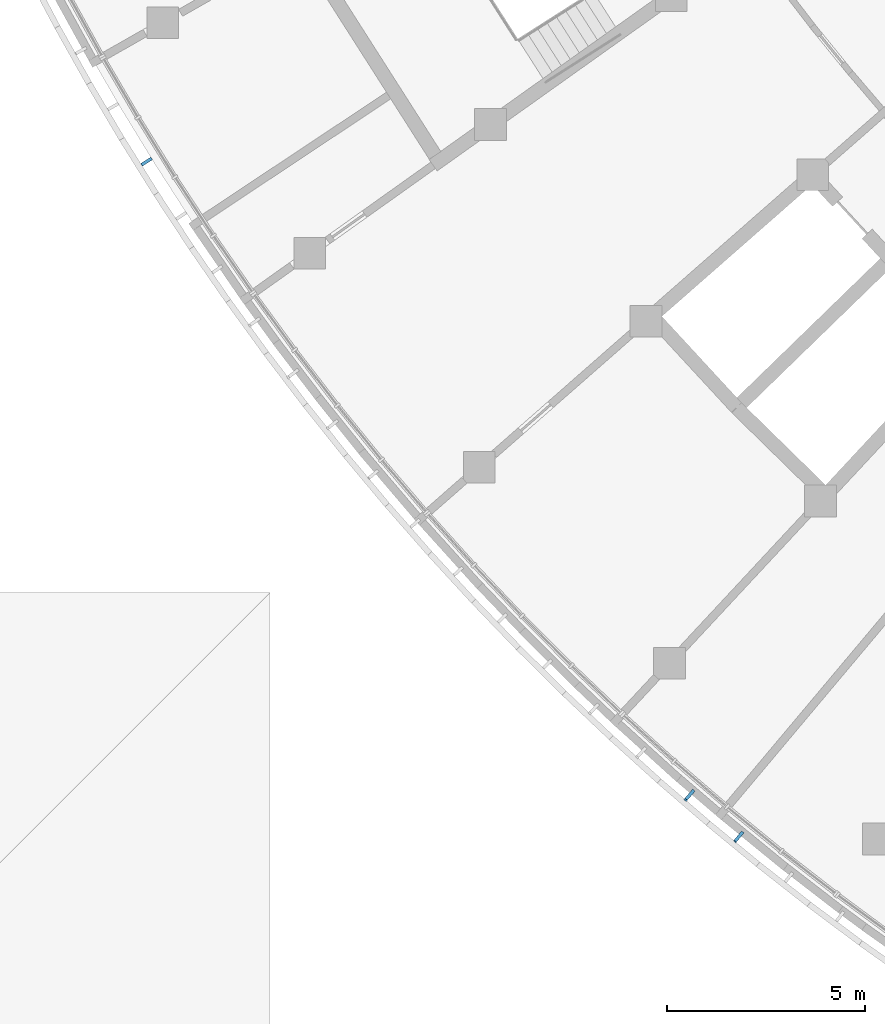
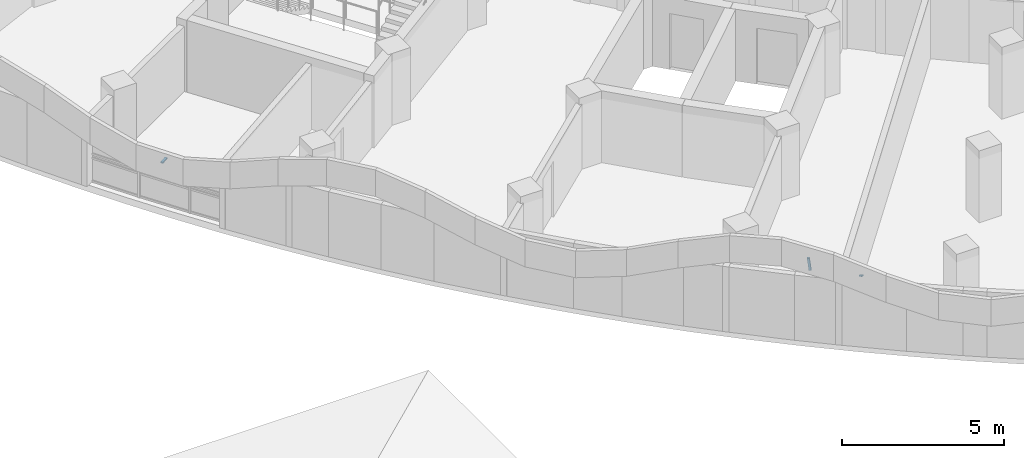
# One storey, part 68 of 89: 3 discrete accessories.
"""IFC4 building model written with IfcOpenShell, lengths in metres."""

from ifc_helpers import new_model, si_unit, direction, frame, origin, origin_2d, place, context, subcontext, project, spatial, rectangle, extrude, material, material_profile, profile_set, type_object, element, save


model = new_model("IFC4")

# Units and contexts
model_context = context("Model", 3, precision=1e-05, world=origin(), true_north=direction((0.0, 1.0)))
body_context = subcontext(model_context, "Body", "Model", "MODEL_VIEW")
ifc_project = project(units=[si_unit("LENGTHUNIT", "METRE"), si_unit("AREAUNIT", "SQUARE_METRE"), si_unit("VOLUMEUNIT", "CUBIC_METRE"), si_unit("PLANEANGLEUNIT", "RADIAN"), si_unit("MASSUNIT", "GRAM", prefix="KILO")], contexts=[model_context])

# Site, building, storey
site_placement = place(None, origin())
site = spatial("IfcSite", under=ifc_project, at=site_placement, CompositionType="ELEMENT")
building_placement = place(site_placement, origin())
building = spatial("IfcBuilding", under=site, at=building_placement, Name="Bougainvillea Quay General Hospital", CompositionType="ELEMENT")
storey_placement = place(building_placement, frame((0.0, 0.0, 9.89990234375)))
storey = spatial("IfcBuildingStorey", under=building, at=storey_placement, Name="L01M", CompositionType="ELEMENT", Elevation=9.89990234375)

# Discrete accessories
ifc_material = material(Name="Stainless steel bracket, grade 316", Category="steel")
ifc_material_profile = material_profile(ifc_material, rectangle(XDim=0.080078125, YDim=0.050048828125, at=origin_2d()))
ifc_profile_set = profile_set([ifc_material_profile], Name="Stainless steel bracket, grade 316")
discrete_accessory_type = type_object("IfcDiscreteAccessoryType", Name="Stainless steel stand-off bracket 80x50", PredefinedType="BRACKET", material=ifc_profile_set)
discrete_accessory_1_placement = place(storey_placement, frame((49.80810546875, 88.960205078125, 1.960205078125), z_axis=(-0.84808974146, -0.529852611987, 0.0), x_axis=(0.529852611987, -0.84808974146, 0.0)))
element("IfcDiscreteAccessory", 1, at=discrete_accessory_1_placement, inside=storey, type_object=discrete_accessory_type, Name="Fascia bracket a01 11", PredefinedType="BRACKET", context=body_context, shape_type="SweptSolid", body=[
    extrude(rectangle(XDim=0.080078125, YDim=0.050048828125, at=origin_2d()), origin(), (0.0, 0.0, 1.0), 0.300048828125),
])
discrete_accessory_2_placement = place(storey_placement, frame((63.4833984375, 72.996826171875, 2.64013671875), z_axis=(-0.271194886818, -0.314086232554, 0.909836893011), x_axis=(0.756896202885, -0.653535108512, 0.0)))
element("IfcDiscreteAccessory", 2, at=discrete_accessory_2_placement, inside=storey, type_object=discrete_accessory_type, Name="Fascia bracket a01 24", PredefinedType="BRACKET", context=body_context, shape_type="SweptSolid", body=[
    extrude(rectangle(XDim=0.080078125, YDim=0.050048828125, at=origin_2d()), origin(), (0.0, 0.0, 1.0), 0.722900390625),
])
discrete_accessory_3_placement = place(storey_placement, frame((64.724609375, 71.951171875, 2.64013671875), z_axis=(-0.544782758381, -0.661970342771, 0.514788317139), x_axis=(0.77214157082, -0.635450544584, 0.0)))
element("IfcDiscreteAccessory", 3, at=discrete_accessory_3_placement, inside=storey, type_object=discrete_accessory_type, Name="Fascia bracket a01 25", PredefinedType="BRACKET", context=body_context, shape_type="SweptSolid", body=[
    extrude(rectangle(XDim=0.080078125, YDim=0.050048828125, at=origin_2d()), origin(), (0.0, 0.0, 1.0), 0.35009765625),
])

save(model, "model.ifc")
